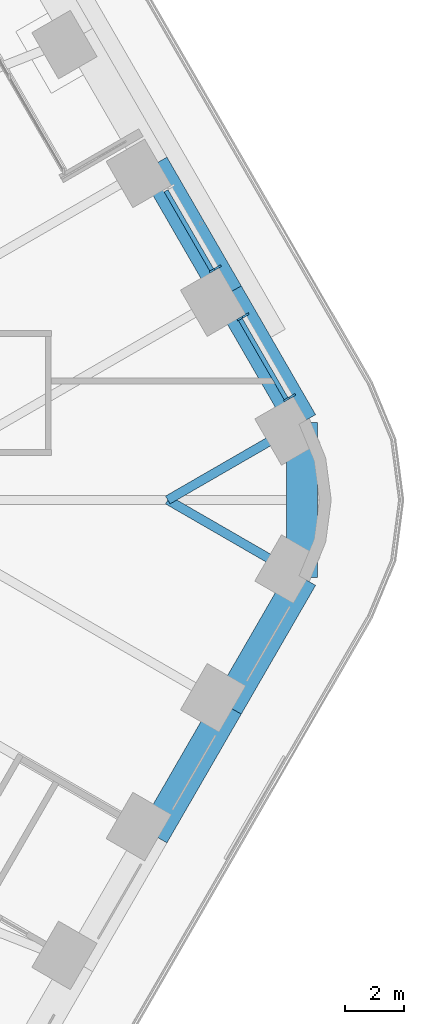
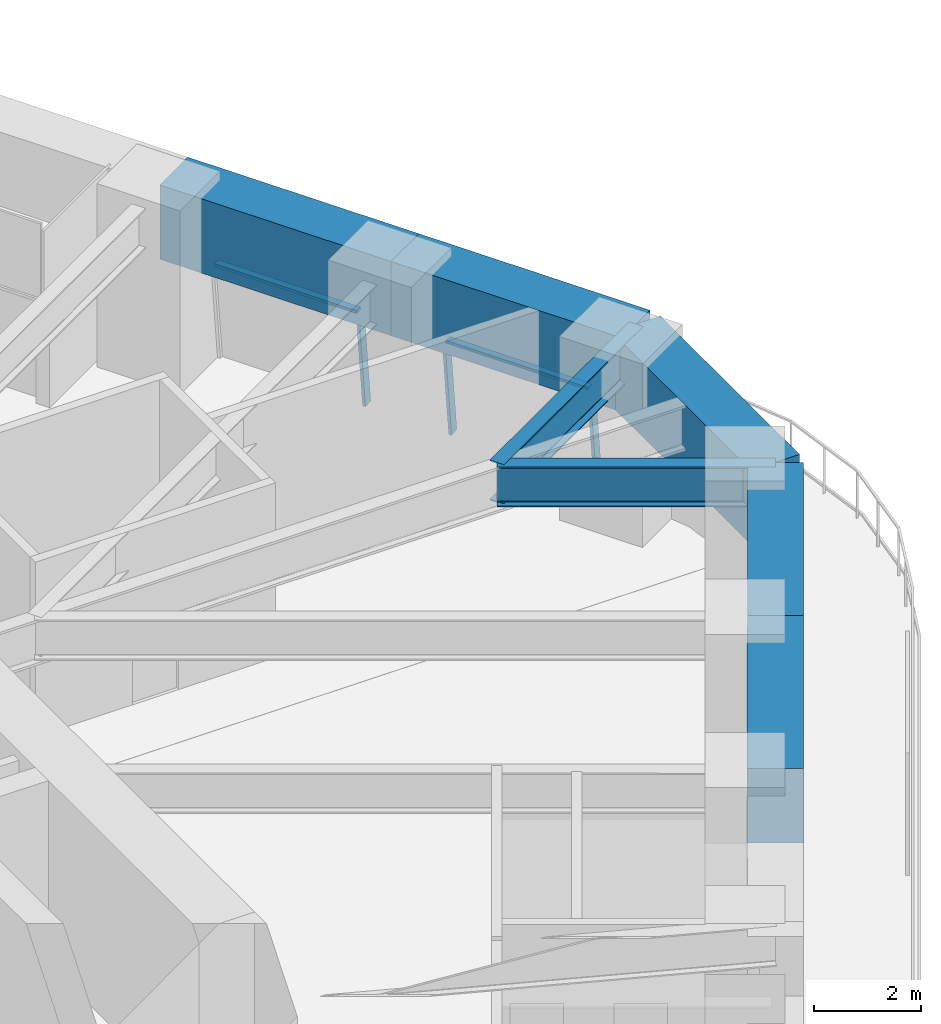
# One storey, part 14 of 24: 7 beams, 5 members, 2 elements without a shape of their own.
"""IFC4 building model written with IfcOpenShell, lengths in metres."""

from ifc_helpers import new_model, si_unit, direction, frame, origin, origin_2d, place, context, subcontext, project, spatial, rectangle, i_section, extrude, material, material_profile, profile_set, type_object, element, aggregate, save


model = new_model("IFC4")

# Units and contexts
model_context = context("Model", 3, precision=1e-05, world=origin(), true_north=direction((0.0, 1.0)))
body_context = subcontext(model_context, "Body", "Model", "MODEL_VIEW")
ifc_project = project(units=[si_unit("LENGTHUNIT", "METRE"), si_unit("AREAUNIT", "SQUARE_METRE"), si_unit("VOLUMEUNIT", "CUBIC_METRE"), si_unit("PLANEANGLEUNIT", "RADIAN"), si_unit("MASSUNIT", "GRAM", prefix="KILO")], contexts=[model_context])

# Site, building, storey
site_placement = place(None, origin())
site = spatial("IfcSite", under=ifc_project, at=site_placement, CompositionType="ELEMENT")
building_placement = place(site_placement, origin())
building = spatial("IfcBuilding", under=site, at=building_placement, Name="Tarfa Lantern Tower", CompositionType="ELEMENT")
storey_placement = place(building_placement, frame((0.0, 0.0, 132.10009765625)))
storey = spatial("IfcBuildingStorey", under=building, at=storey_placement, Name="L29", CompositionType="ELEMENT", Elevation=132.10009765625)

# Curtain wall, members
ifc_material_1 = material(Name="Aluminium framed curtain wall", Category="aluminium")
curtain_wall_type = type_object("IfcCurtainWallType", Name="CW2 CANTED GLAZING MID ZONE 2300", PredefinedType="USERDEFINED", material=ifc_material_1)
curtain_wall_1_placement = place(storey_placement, origin())
curtain_wall_1 = element("IfcCurtainWall", 1, at=curtain_wall_1_placement, inside=storey, type_object=curtain_wall_type, Name="CW2 NE L29", ObjectType="CURTAIN WALL", PredefinedType="USERDEFINED")
ifc_material_2 = material(Name="Aluminium mullion", Category="aluminium")
ifc_material_profile_1 = material_profile(ifc_material_2, rectangle(XDim=0.06494140625, YDim=0.199951171875, at=origin_2d()), Name="AL MULLION 65x200")
ifc_profile_set_1 = profile_set([ifc_material_profile_1], Name="Aluminium mullion")
member_type_1 = type_object("IfcMemberType", Name="CWM1 MULLION 65x200", PredefinedType="MULLION", material=ifc_profile_set_1)
member_1_placement = place(storey_placement, frame((34.232421875, 3.507568359375, 0.0), z_axis=(-0.093505113016, -0.054034557409, 0.994151427322), x_axis=(0.500342721131, -0.865827443207, 0.0)))
member_1 = element("IfcMember", 2, at=member_1_placement, type_object=member_type_1, Name="CW2 mullion 1", PredefinedType="MULLION", context=body_context, shape_type="SweptSolid", body=[
    extrude(rectangle(XDim=0.06494140625, YDim=0.199951171875, at=origin_2d()), origin(), (0.0, 0.0, 1.0), 2.313232421875),
])
member_2_placement = place(storey_placement, frame((32.6630859375, 6.225830078125, 0.0), z_axis=(-0.093609724986, -0.054034023893, 0.994141611467), x_axis=(0.499919672301, -0.866071776036, 0.0)))
member_2 = element("IfcMember", 3, at=member_2_placement, type_object=member_type_1, Name="CW2 mullion 2", PredefinedType="MULLION", context=body_context, shape_type="SweptSolid", body=[
    extrude(rectangle(XDim=0.06494140625, YDim=0.199951171875, at=origin_2d()), origin(), (0.0, 0.0, 1.0), 2.3134765625),
])

# Curtain wall, member
curtain_wall_2_placement = place(storey_placement, origin())
curtain_wall_2 = element("IfcCurtainWall", 4, at=curtain_wall_2_placement, inside=storey, type_object=curtain_wall_type, Name="CW2 NE L29", ObjectType="CURTAIN WALL", PredefinedType="USERDEFINED")
member_3_placement = place(storey_placement, frame((31.730712890625, 7.8408203125, 0.0), z_axis=(-0.093609724986, -0.054034023893, 0.994141611467), x_axis=(0.499919672301, -0.866071776036, 0.0)))
member_3 = element("IfcMember", 5, at=member_3_placement, type_object=member_type_1, Name="CW2 mullion 1", PredefinedType="MULLION", context=body_context, shape_type="SweptSolid", body=[
    extrude(rectangle(XDim=0.06494140625, YDim=0.199951171875, at=origin_2d()), origin(), (0.0, 0.0, 1.0), 2.3134765625),
])

# Member
ifc_material_3 = material(Name="Aluminium transom", Category="aluminium")
ifc_material_profile_2 = material_profile(ifc_material_3, rectangle(XDim=0.14990234375, YDim=0.06494140625, at=origin_2d()), Name="AL TRANSOM 150x65")
ifc_profile_set_2 = profile_set([ifc_material_profile_2], Name="Aluminium transom")
member_type_2 = type_object("IfcMemberType", Name="CWT1 TRANSOM 150x65", PredefinedType="USERDEFINED", material=ifc_profile_set_2)
member_4_placement = place(storey_placement, frame((34.002685546875, 3.41259765625, 2.267333984375), z_axis=(-0.499949361699, 0.866054637847, 0.0), x_axis=(-0.866054637847, -0.499949361699, 0.0)))
member_4 = element("IfcMember", 6, at=member_4_placement, type_object=member_type_2, Name="CW2 transom 1.2", ObjectType="TRANSOM", PredefinedType="USERDEFINED", context=body_context, shape_type="SweptSolid", body=[
    extrude(rectangle(XDim=0.14990234375, YDim=0.06494140625, at=origin_2d()), origin(), (0.0, 0.0, 1.0), 3.073486328125),
])

aggregate(curtain_wall_1, [member_1, member_2, member_4])

member_5_placement = place(storey_placement, frame((31.5009765625, 7.745849609375, 2.267333984375), z_axis=(-0.500008936691, 0.866020244122, 0.0), x_axis=(-0.866020244122, -0.500008936691, 0.0)))
member_5 = element("IfcMember", 7, at=member_5_placement, type_object=member_type_2, Name="CW2 transom 1.2", ObjectType="TRANSOM", PredefinedType="USERDEFINED", context=body_context, shape_type="SweptSolid", body=[
    extrude(rectangle(XDim=0.14990234375, YDim=0.06494140625, at=origin_2d()), origin(), (0.0, 0.0, 1.0), 3.07373046875),
])

aggregate(curtain_wall_2, [member_3, member_5])

# Beams
ifc_material_4 = material(Name="Concrete C80/95", Category="concrete")
ifc_material_profile_3 = material_profile(ifc_material_4, rectangle(XDim=1.050048828125, YDim=1.699951171875, at=origin_2d()), Name="RC 1050x1700")
ifc_profile_set_3 = profile_set([ifc_material_profile_3], Name="Concrete C80/95")
beam_type_1 = type_object("IfcBeamType", Name="RB2 RC 1050x1700", PredefinedType="BEAM", material=ifc_profile_set_3)
for number, where, z_axis, x_axis, name in (
    (8, (34.54296875, 2.610107421875, 3.14990234375), (-0.500022324899, 0.866012514114, 0.0), (-0.866012514114, -0.500022324899, 0.0), "Edge beam NE0"),
    (9, (32.041015625, 6.943359375, 3.14990234375), (-0.500022324899, 0.866012514114, 0.0), (-0.866012514114, -0.500022324899, 0.0), "Edge beam NE1"),
    (10, (29.5390625, -11.276611328125, 3.14990234375), (0.500022324899, 0.866012514114, 0.0), (-0.866012514114, 0.500022324899, 0.0), "Edge beam SE4"),
    (11, (32.041015625, -6.943359375, 3.14990234375), (0.500022324899, 0.866012514114, 0.0), (-0.866012514114, 0.500022324899, 0.0), "Edge beam SE5"),
):
    element("IfcBeam", number, at=place(storey_placement, frame(where, z_axis=z_axis, x_axis=x_axis)), inside=storey, type_object=beam_type_1, Name=name, PredefinedType="BEAM", context=body_context, shape_type="SweptSolid", body=[
        extrude(rectangle(XDim=1.050048828125, YDim=1.699951171875, at=origin_2d()), origin(), (0.0, 0.0, 1.0), 5.003662109375),
    ])
beam_placement = place(storey_placement, frame((34.54296875, -2.610107421875, 3.14990234375), z_axis=(0.0, 1.0, 0.0), x_axis=(-1.0, 0.0, 0.0)))
element("IfcBeam", 12, at=beam_placement, inside=storey, type_object=beam_type_1, Name="Edge beam SE6", PredefinedType="BEAM", context=body_context, shape_type="SweptSolid", body=[
    extrude(rectangle(XDim=1.050048828125, YDim=1.699951171875, at=origin_2d()), origin(), (0.0, 0.0, 1.0), 5.22021484375),
])
ifc_material_5 = material(Name="Steel S460M", Category="steel")
ifc_material_profile_4 = material_profile(ifc_material_5, i_section(OverallWidth=0.305419921875, OverallDepth=0.91845703125, WebThickness=0.017333984375, FlangeThickness=0.02783203125, FilletRadius=0.01904296875, at=origin_2d()), Name="UB914x305x253")
ifc_profile_set_4 = profile_set([ifc_material_profile_4], Name="Steel S460M")
beam_type_2 = type_object("IfcBeamType", Name="UB914x305x253", PredefinedType="BEAM", material=ifc_profile_set_4)
for number, where, z_axis, x_axis, name in (
    (13, (34.54296875, 2.610107421875, 3.540771484375), (-0.866021250859, -0.500007193008, 0.0), (0.500007193008, -0.866021250859, 0.0), "Floor beam NE0"),
    (14, (34.54296875, -2.610107421875, 3.540771484375), (-0.866021250859, 0.500007193008, 0.0), (-0.500007193008, -0.866021250859, 0.0), "Floor beam SE6"),
):
    element("IfcBeam", number, at=place(storey_placement, frame(where, z_axis=z_axis, x_axis=x_axis)), inside=storey, type_object=beam_type_2, Name=name, PredefinedType="BEAM", context=body_context, shape_type="SweptSolid", body=[
        extrude(i_section(OverallWidth=0.305419921875, OverallDepth=0.91845703125, WebThickness=0.017333984375, FlangeThickness=0.02783203125, FilletRadius=0.01904296875, at=origin_2d()), origin(), (0.0, 0.0, 1.0), 5.22021484375),
    ])

save(model, "model.ifc")
